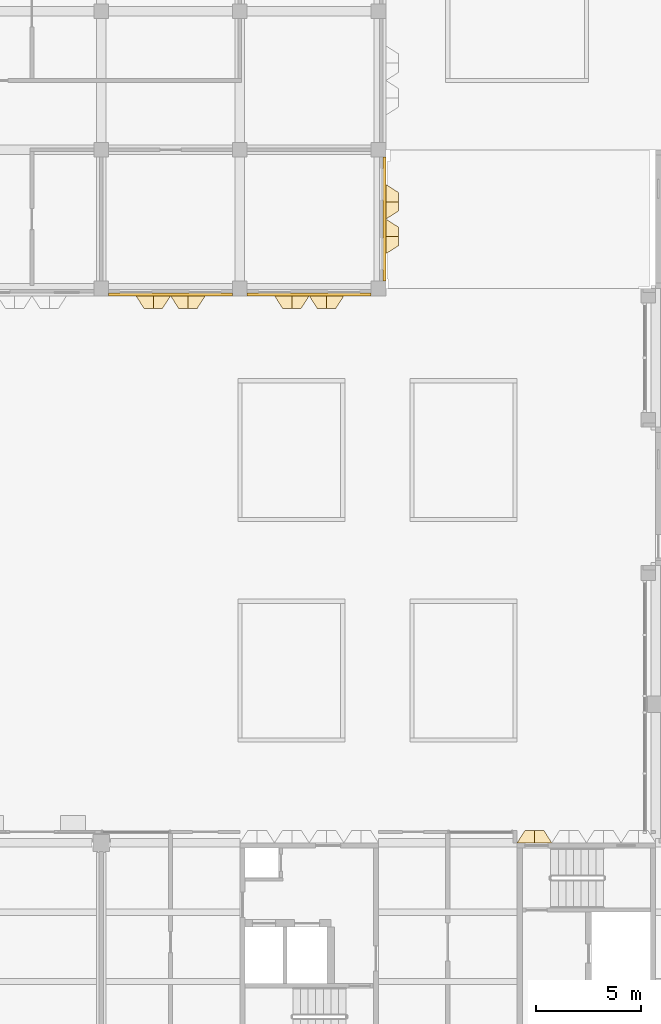
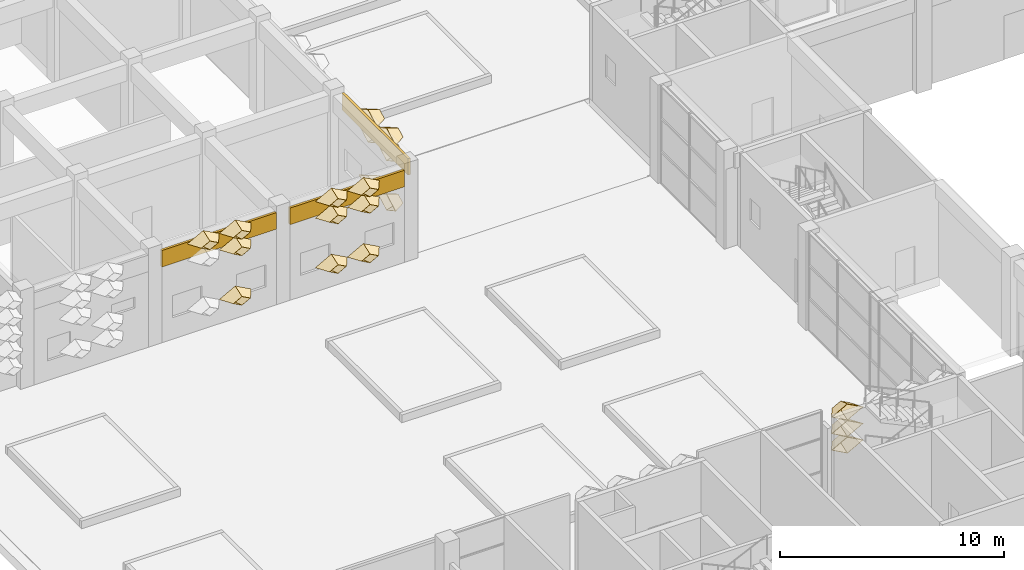
# One storey, part 57 of 85: 22 coverings.
"""IFC4 building model written with IfcOpenShell, lengths in metres."""

from ifc_helpers import new_model, entity, si_unit, direction, frame, frame_2d, origin, place, context, subcontext, project, spatial, rectangle, extrude, material, layer, layer_set, type_object, element, save


model = new_model("IFC4")

# Units and contexts
model_context = context("Model", 3, precision=1e-05, world=origin(), true_north=direction((0.0, 1.0)))
body_context = subcontext(model_context, "Body", "Model", "MODEL_VIEW")
ifc_project = project(units=[si_unit("LENGTHUNIT", "METRE"), si_unit("AREAUNIT", "SQUARE_METRE"), si_unit("VOLUMEUNIT", "CUBIC_METRE"), si_unit("PLANEANGLEUNIT", "RADIAN"), si_unit("MASSUNIT", "GRAM", prefix="KILO")], contexts=[model_context])

# Site, building, storey
site_placement = place(None, origin())
site = spatial("IfcSite", under=ifc_project, at=site_placement, CompositionType="ELEMENT")
building_placement = place(site_placement, origin())
building = spatial("IfcBuilding", under=site, at=building_placement, Name="Lantern Court Research Institute", CompositionType="ELEMENT")
storey_placement = place(building_placement, origin())
storey = spatial("IfcBuildingStorey", under=building, at=storey_placement, Name="L00", CompositionType="ELEMENT", Elevation=0.0)

# Coverings
ifc_material_1 = material(Name="Aluminium composite panel with mineral wool insulation", Category="aluminium")
ifc_layer_1 = layer(ifc_material_1, 0.125)
ifc_layer_set_1 = layer_set([ifc_layer_1], Name="Aluminium composite panel with mineral wool insulation")
covering_type_1 = type_object("IfcCoveringType", Name="Edge fascia panel 125 aluminium faced", PredefinedType="CLADDING", material=ifc_layer_set_1)
for number, where, z_axis, x_axis, name in (
    (1, (26.6875, 55.75, 4.14990234375), (0.0, 0.0, 1.0), (0.0, -1.0, 0.0), "Edge fascia V3E L00 01"),
    (2, (19.449951171875, 49.21240234375, 4.14990234375), (0.0, 0.0, 1.0), (-1.0, 0.0, 0.0), "Edge fascia V3S L00 02"),
):
    element("IfcCovering", number, at=place(storey_placement, frame(where, z_axis=z_axis, x_axis=x_axis)), inside=storey, type_object=covering_type_1, Name=name, PredefinedType="CLADDING", context=body_context, shape_type="SweptSolid", body=[
        extrude(rectangle(XDim=5.89990234375, YDim=0.125, at=frame_2d((2.949951171875, 0.0))), origin(), (0.0, 0.0, 1.0), 0.900146484375),
    ])
covering_1_placement = place(storey_placement, frame((26.050048828125, 49.21240234375, 4.14990234375), z_axis=(0.0, 0.0, 1.0), x_axis=(-1.0, 0.0, 0.0)))
element("IfcCovering", 3, at=covering_1_placement, inside=storey, type_object=covering_type_1, Name="Edge fascia V3S L00 03", PredefinedType="CLADDING", context=body_context, shape_type="SweptSolid", body=[
    extrude(rectangle(XDim=5.900146484375, YDim=0.125, at=frame_2d((2.9501953125, 0.0))), origin(), (0.0, 0.0, 1.0), 0.900146484375),
])
ifc_material_2 = material(Name="Anodised aluminium", Category="aluminium")
ifc_layer_2 = layer(ifc_material_2, 0.01611328125)
ifc_layer_set_2 = layer_set([ifc_layer_2], Name="Anodised aluminium")
covering_type_2 = type_object("IfcCoveringType", Name="Fin cassette 1650 x 900 x 600 aluminium", PredefinedType="CLADDING", material=ifc_layer_set_2)
covering_2_placement = place(storey_placement, frame((26.75, 51.97509765625, 1.35009765625), z_axis=(1.0, 0.0, 0.0), x_axis=(0.0, 1.0, 0.0)))
cartesian_point_1 = entity("IfcCartesianPoint", [0.824951171875, 0.0])
cartesian_point_2 = entity("IfcCartesianPoint", [0.79150390625, 0.0])
cartesian_point_3 = entity("IfcCartesianPoint", [0.44189453125, 0.0])
cartesian_point_4 = entity("IfcCartesianPoint", [0.43359375, 0.0])
element("IfcCovering", 4, at=covering_2_placement, inside=storey, type_object=covering_type_2, Name="Fin cassette V3E-L00 2.32", PredefinedType="CLADDING", context=body_context, shape_type="SweptSolid", body=[
    entity("IfcExtrudedAreaSolidTapered", entity("IfcArbitraryProfileDefWithVoids", "AREA", None, entity("IfcPolyline", [cartesian_point_1, entity("IfcCartesianPoint", [0.0, 0.449951171875]), entity("IfcCartesianPoint", [-0.824951171875, 0.0]), entity("IfcCartesianPoint", [0.0, -0.449951171875]), cartesian_point_1]), [entity("IfcPolyline", [cartesian_point_2, entity("IfcCartesianPoint", [0.0, 0.431884765625]), entity("IfcCartesianPoint", [-0.79150390625, 0.0]), entity("IfcCartesianPoint", [0.0, -0.431884765625]), cartesian_point_2])]), entity("IfcAxis2Placement3D", entity("IfcCartesianPoint", [0.0, 0.0, 0.0])), entity("IfcDirection", [0.0, 0.0, 1.0]), 0.60009765625, entity("IfcArbitraryProfileDefWithVoids", "AREA", None, entity("IfcPolyline", [cartesian_point_3, entity("IfcCartesianPoint", [0.0, 0.240966796875]), entity("IfcCartesianPoint", [-0.44189453125, 0.0]), entity("IfcCartesianPoint", [0.0, -0.240966796875]), cartesian_point_3]), [entity("IfcPolyline", [cartesian_point_4, entity("IfcCartesianPoint", [0.0, 0.236572265625]), entity("IfcCartesianPoint", [-0.43359375, 0.0]), entity("IfcCartesianPoint", [0.0, -0.236572265625]), cartesian_point_4])])),
])
covering_3_placement = place(storey_placement, frame((26.75, 53.625, 1.35009765625), z_axis=(1.0, 0.0, 0.0), x_axis=(0.0, 1.0, 0.0)))
cartesian_point_5 = entity("IfcCartesianPoint", [0.824951171875, 0.0])
cartesian_point_6 = entity("IfcCartesianPoint", [0.79150390625, 0.0])
cartesian_point_7 = entity("IfcCartesianPoint", [0.44189453125, 0.0])
cartesian_point_8 = entity("IfcCartesianPoint", [0.43359375, 0.0])
element("IfcCovering", 5, at=covering_3_placement, inside=storey, type_object=covering_type_2, Name="Fin cassette V3E-L00 2.33", PredefinedType="CLADDING", context=body_context, shape_type="SweptSolid", body=[
    entity("IfcExtrudedAreaSolidTapered", entity("IfcArbitraryProfileDefWithVoids", "AREA", None, entity("IfcPolyline", [cartesian_point_5, entity("IfcCartesianPoint", [0.0, 0.449951171875]), entity("IfcCartesianPoint", [-0.824951171875, 0.0]), entity("IfcCartesianPoint", [0.0, -0.449951171875]), cartesian_point_5]), [entity("IfcPolyline", [cartesian_point_6, entity("IfcCartesianPoint", [0.0, 0.431884765625]), entity("IfcCartesianPoint", [-0.79150390625, 0.0]), entity("IfcCartesianPoint", [0.0, -0.431884765625]), cartesian_point_6])]), entity("IfcAxis2Placement3D", entity("IfcCartesianPoint", [0.0, 0.0, 0.0])), entity("IfcDirection", [0.0, 0.0, 1.0]), 0.60009765625, entity("IfcArbitraryProfileDefWithVoids", "AREA", None, entity("IfcPolyline", [cartesian_point_7, entity("IfcCartesianPoint", [0.0, 0.240966796875]), entity("IfcCartesianPoint", [-0.44189453125, 0.0]), entity("IfcCartesianPoint", [0.0, -0.240966796875]), cartesian_point_7]), [entity("IfcPolyline", [cartesian_point_8, entity("IfcCartesianPoint", [0.0, 0.236572265625]), entity("IfcCartesianPoint", [-0.43359375, 0.0]), entity("IfcCartesianPoint", [0.0, -0.236572265625]), cartesian_point_8])])),
])
covering_4_placement = place(storey_placement, frame((26.75, 51.97509765625, 4.050048828125), z_axis=(1.0, 0.0, 0.0), x_axis=(0.0, 1.0, 0.0)))
cartesian_point_9 = entity("IfcCartesianPoint", [0.824951171875, 0.0])
cartesian_point_10 = entity("IfcCartesianPoint", [0.79150390625, 0.0])
cartesian_point_11 = entity("IfcCartesianPoint", [0.44189453125, 0.0])
cartesian_point_12 = entity("IfcCartesianPoint", [0.43359375, 0.0])
element("IfcCovering", 6, at=covering_4_placement, inside=storey, type_object=covering_type_2, Name="Fin cassette V3E-L00 5.32", PredefinedType="CLADDING", context=body_context, shape_type="SweptSolid", body=[
    entity("IfcExtrudedAreaSolidTapered", entity("IfcArbitraryProfileDefWithVoids", "AREA", None, entity("IfcPolyline", [cartesian_point_9, entity("IfcCartesianPoint", [0.0, 0.449951171875]), entity("IfcCartesianPoint", [-0.824951171875, 0.0]), entity("IfcCartesianPoint", [0.0, -0.449951171875]), cartesian_point_9]), [entity("IfcPolyline", [cartesian_point_10, entity("IfcCartesianPoint", [0.0, 0.431884765625]), entity("IfcCartesianPoint", [-0.79150390625, 0.0]), entity("IfcCartesianPoint", [0.0, -0.431884765625]), cartesian_point_10])]), entity("IfcAxis2Placement3D", entity("IfcCartesianPoint", [0.0, 0.0, 0.0])), entity("IfcDirection", [0.0, 0.0, 1.0]), 0.60009765625, entity("IfcArbitraryProfileDefWithVoids", "AREA", None, entity("IfcPolyline", [cartesian_point_11, entity("IfcCartesianPoint", [0.0, 0.240966796875]), entity("IfcCartesianPoint", [-0.44189453125, 0.0]), entity("IfcCartesianPoint", [0.0, -0.240966796875]), cartesian_point_11]), [entity("IfcPolyline", [cartesian_point_12, entity("IfcCartesianPoint", [0.0, 0.236572265625]), entity("IfcCartesianPoint", [-0.43359375, 0.0]), entity("IfcCartesianPoint", [0.0, -0.236572265625]), cartesian_point_12])])),
])
covering_5_placement = place(storey_placement, frame((26.75, 53.625, 4.050048828125), z_axis=(1.0, 0.0, 0.0), x_axis=(0.0, 1.0, 0.0)))
cartesian_point_13 = entity("IfcCartesianPoint", [0.824951171875, 0.0])
cartesian_point_14 = entity("IfcCartesianPoint", [0.79150390625, 0.0])
cartesian_point_15 = entity("IfcCartesianPoint", [0.44189453125, 0.0])
cartesian_point_16 = entity("IfcCartesianPoint", [0.43359375, 0.0])
element("IfcCovering", 7, at=covering_5_placement, inside=storey, type_object=covering_type_2, Name="Fin cassette V3E-L00 5.33", PredefinedType="CLADDING", context=body_context, shape_type="SweptSolid", body=[
    entity("IfcExtrudedAreaSolidTapered", entity("IfcArbitraryProfileDefWithVoids", "AREA", None, entity("IfcPolyline", [cartesian_point_13, entity("IfcCartesianPoint", [0.0, 0.449951171875]), entity("IfcCartesianPoint", [-0.824951171875, 0.0]), entity("IfcCartesianPoint", [0.0, -0.449951171875]), cartesian_point_13]), [entity("IfcPolyline", [cartesian_point_14, entity("IfcCartesianPoint", [0.0, 0.431884765625]), entity("IfcCartesianPoint", [-0.79150390625, 0.0]), entity("IfcCartesianPoint", [0.0, -0.431884765625]), cartesian_point_14])]), entity("IfcAxis2Placement3D", entity("IfcCartesianPoint", [0.0, 0.0, 0.0])), entity("IfcDirection", [0.0, 0.0, 1.0]), 0.60009765625, entity("IfcArbitraryProfileDefWithVoids", "AREA", None, entity("IfcPolyline", [cartesian_point_15, entity("IfcCartesianPoint", [0.0, 0.240966796875]), entity("IfcCartesianPoint", [-0.44189453125, 0.0]), entity("IfcCartesianPoint", [0.0, -0.240966796875]), cartesian_point_15]), [entity("IfcPolyline", [cartesian_point_16, entity("IfcCartesianPoint", [0.0, 0.236572265625]), entity("IfcCartesianPoint", [-0.43359375, 0.0]), entity("IfcCartesianPoint", [0.0, -0.236572265625]), cartesian_point_16])])),
])
covering_6_placement = place(storey_placement, frame((26.75, 51.97509765625, 4.949951171875), z_axis=(1.0, 0.0, 0.0), x_axis=(0.0, 1.0, 0.0)))
cartesian_point_17 = entity("IfcCartesianPoint", [0.824951171875, 0.0])
cartesian_point_18 = entity("IfcCartesianPoint", [0.79150390625, 0.0])
cartesian_point_19 = entity("IfcCartesianPoint", [0.44189453125, 0.0])
cartesian_point_20 = entity("IfcCartesianPoint", [0.43359375, 0.0])
element("IfcCovering", 8, at=covering_6_placement, inside=storey, type_object=covering_type_2, Name="Fin cassette V3E-L00 6.32", PredefinedType="CLADDING", context=body_context, shape_type="SweptSolid", body=[
    entity("IfcExtrudedAreaSolidTapered", entity("IfcArbitraryProfileDefWithVoids", "AREA", None, entity("IfcPolyline", [cartesian_point_17, entity("IfcCartesianPoint", [0.0, 0.449951171875]), entity("IfcCartesianPoint", [-0.824951171875, 0.0]), entity("IfcCartesianPoint", [0.0, -0.449951171875]), cartesian_point_17]), [entity("IfcPolyline", [cartesian_point_18, entity("IfcCartesianPoint", [0.0, 0.431884765625]), entity("IfcCartesianPoint", [-0.79150390625, 0.0]), entity("IfcCartesianPoint", [0.0, -0.431884765625]), cartesian_point_18])]), entity("IfcAxis2Placement3D", entity("IfcCartesianPoint", [0.0, 0.0, 0.0])), entity("IfcDirection", [0.0, 0.0, 1.0]), 0.60009765625, entity("IfcArbitraryProfileDefWithVoids", "AREA", None, entity("IfcPolyline", [cartesian_point_19, entity("IfcCartesianPoint", [0.0, 0.240966796875]), entity("IfcCartesianPoint", [-0.44189453125, 0.0]), entity("IfcCartesianPoint", [0.0, -0.240966796875]), cartesian_point_19]), [entity("IfcPolyline", [cartesian_point_20, entity("IfcCartesianPoint", [0.0, 0.236572265625]), entity("IfcCartesianPoint", [-0.43359375, 0.0]), entity("IfcCartesianPoint", [0.0, -0.236572265625]), cartesian_point_20])])),
])
covering_7_placement = place(storey_placement, frame((26.75, 53.625, 4.949951171875), z_axis=(1.0, 0.0, 0.0), x_axis=(0.0, 1.0, 0.0)))
cartesian_point_21 = entity("IfcCartesianPoint", [0.824951171875, 0.0])
cartesian_point_22 = entity("IfcCartesianPoint", [0.79150390625, 0.0])
cartesian_point_23 = entity("IfcCartesianPoint", [0.44189453125, 0.0])
cartesian_point_24 = entity("IfcCartesianPoint", [0.43359375, 0.0])
element("IfcCovering", 9, at=covering_7_placement, inside=storey, type_object=covering_type_2, Name="Fin cassette V3E-L00 6.33", PredefinedType="CLADDING", context=body_context, shape_type="SweptSolid", body=[
    entity("IfcExtrudedAreaSolidTapered", entity("IfcArbitraryProfileDefWithVoids", "AREA", None, entity("IfcPolyline", [cartesian_point_21, entity("IfcCartesianPoint", [0.0, 0.449951171875]), entity("IfcCartesianPoint", [-0.824951171875, 0.0]), entity("IfcCartesianPoint", [0.0, -0.449951171875]), cartesian_point_21]), [entity("IfcPolyline", [cartesian_point_22, entity("IfcCartesianPoint", [0.0, 0.431884765625]), entity("IfcCartesianPoint", [-0.79150390625, 0.0]), entity("IfcCartesianPoint", [0.0, -0.431884765625]), cartesian_point_22])]), entity("IfcAxis2Placement3D", entity("IfcCartesianPoint", [0.0, 0.0, 0.0])), entity("IfcDirection", [0.0, 0.0, 1.0]), 0.60009765625, entity("IfcArbitraryProfileDefWithVoids", "AREA", None, entity("IfcPolyline", [cartesian_point_23, entity("IfcCartesianPoint", [0.0, 0.240966796875]), entity("IfcCartesianPoint", [-0.44189453125, 0.0]), entity("IfcCartesianPoint", [0.0, -0.240966796875]), cartesian_point_23]), [entity("IfcPolyline", [cartesian_point_24, entity("IfcCartesianPoint", [0.0, 0.236572265625]), entity("IfcCartesianPoint", [-0.43359375, 0.0]), entity("IfcCartesianPoint", [0.0, -0.236572265625]), cartesian_point_24])])),
])
covering_8_placement = place(storey_placement, frame((17.324951171875, 49.14990234375, 1.35009765625), z_axis=(0.0, -1.0, 0.0), x_axis=(1.0, 0.0, 0.0)))
cartesian_point_25 = entity("IfcCartesianPoint", [0.824951171875, 0.0])
cartesian_point_26 = entity("IfcCartesianPoint", [0.79150390625, 0.0])
cartesian_point_27 = entity("IfcCartesianPoint", [0.44189453125, 0.0])
cartesian_point_28 = entity("IfcCartesianPoint", [0.43359375, 0.0])
element("IfcCovering", 10, at=covering_8_placement, inside=storey, type_object=covering_type_2, Name="Fin cassette V3S-L00 2.11", PredefinedType="CLADDING", context=body_context, shape_type="SweptSolid", body=[
    entity("IfcExtrudedAreaSolidTapered", entity("IfcArbitraryProfileDefWithVoids", "AREA", None, entity("IfcPolyline", [cartesian_point_25, entity("IfcCartesianPoint", [0.0, 0.449951171875]), entity("IfcCartesianPoint", [-0.824951171875, 0.0]), entity("IfcCartesianPoint", [0.0, -0.449951171875]), cartesian_point_25]), [entity("IfcPolyline", [cartesian_point_26, entity("IfcCartesianPoint", [0.0, 0.431884765625]), entity("IfcCartesianPoint", [-0.79150390625, 0.0]), entity("IfcCartesianPoint", [0.0, -0.431884765625]), cartesian_point_26])]), entity("IfcAxis2Placement3D", entity("IfcCartesianPoint", [0.0, 0.0, 0.0])), entity("IfcDirection", [0.0, 0.0, 1.0]), 0.60009765625, entity("IfcArbitraryProfileDefWithVoids", "AREA", None, entity("IfcPolyline", [cartesian_point_27, entity("IfcCartesianPoint", [0.0, 0.240966796875]), entity("IfcCartesianPoint", [-0.44189453125, 0.0]), entity("IfcCartesianPoint", [0.0, -0.240966796875]), cartesian_point_27]), [entity("IfcPolyline", [cartesian_point_28, entity("IfcCartesianPoint", [0.0, 0.236572265625]), entity("IfcCartesianPoint", [-0.43359375, 0.0]), entity("IfcCartesianPoint", [0.0, -0.236572265625]), cartesian_point_28])])),
])
covering_9_placement = place(storey_placement, frame((22.27490234375, 49.14990234375, 1.35009765625), z_axis=(0.0, -1.0, 0.0), x_axis=(1.0, 0.0, 0.0)))
cartesian_point_29 = entity("IfcCartesianPoint", [0.824951171875, 0.0])
cartesian_point_30 = entity("IfcCartesianPoint", [0.79150390625, 0.0])
cartesian_point_31 = entity("IfcCartesianPoint", [0.44189453125, 0.0])
cartesian_point_32 = entity("IfcCartesianPoint", [0.43359375, 0.0])
element("IfcCovering", 11, at=covering_9_placement, inside=storey, type_object=covering_type_2, Name="Fin cassette V3S-L00 2.14", PredefinedType="CLADDING", context=body_context, shape_type="SweptSolid", body=[
    entity("IfcExtrudedAreaSolidTapered", entity("IfcArbitraryProfileDefWithVoids", "AREA", None, entity("IfcPolyline", [cartesian_point_29, entity("IfcCartesianPoint", [0.0, 0.449951171875]), entity("IfcCartesianPoint", [-0.824951171875, 0.0]), entity("IfcCartesianPoint", [0.0, -0.449951171875]), cartesian_point_29]), [entity("IfcPolyline", [cartesian_point_30, entity("IfcCartesianPoint", [0.0, 0.431884765625]), entity("IfcCartesianPoint", [-0.79150390625, 0.0]), entity("IfcCartesianPoint", [0.0, -0.431884765625]), cartesian_point_30])]), entity("IfcAxis2Placement3D", entity("IfcCartesianPoint", [0.0, 0.0, 0.0])), entity("IfcDirection", [0.0, 0.0, 1.0]), 0.60009765625, entity("IfcArbitraryProfileDefWithVoids", "AREA", None, entity("IfcPolyline", [cartesian_point_31, entity("IfcCartesianPoint", [0.0, 0.240966796875]), entity("IfcCartesianPoint", [-0.44189453125, 0.0]), entity("IfcCartesianPoint", [0.0, -0.240966796875]), cartesian_point_31]), [entity("IfcPolyline", [cartesian_point_32, entity("IfcCartesianPoint", [0.0, 0.236572265625]), entity("IfcCartesianPoint", [-0.43359375, 0.0]), entity("IfcCartesianPoint", [0.0, -0.236572265625]), cartesian_point_32])])),
])
covering_10_placement = place(storey_placement, frame((23.925048828125, 49.14990234375, 1.35009765625), z_axis=(0.0, -1.0, 0.0), x_axis=(1.0, 0.0, 0.0)))
cartesian_point_33 = entity("IfcCartesianPoint", [0.824951171875, 0.0])
cartesian_point_34 = entity("IfcCartesianPoint", [0.79150390625, 0.0])
cartesian_point_35 = entity("IfcCartesianPoint", [0.44189453125, 0.0])
cartesian_point_36 = entity("IfcCartesianPoint", [0.43359375, 0.0])
element("IfcCovering", 12, at=covering_10_placement, inside=storey, type_object=covering_type_2, Name="Fin cassette V3S-L00 2.15", PredefinedType="CLADDING", context=body_context, shape_type="SweptSolid", body=[
    entity("IfcExtrudedAreaSolidTapered", entity("IfcArbitraryProfileDefWithVoids", "AREA", None, entity("IfcPolyline", [cartesian_point_33, entity("IfcCartesianPoint", [0.0, 0.449951171875]), entity("IfcCartesianPoint", [-0.824951171875, 0.0]), entity("IfcCartesianPoint", [0.0, -0.449951171875]), cartesian_point_33]), [entity("IfcPolyline", [cartesian_point_34, entity("IfcCartesianPoint", [0.0, 0.431884765625]), entity("IfcCartesianPoint", [-0.79150390625, 0.0]), entity("IfcCartesianPoint", [0.0, -0.431884765625]), cartesian_point_34])]), entity("IfcAxis2Placement3D", entity("IfcCartesianPoint", [0.0, 0.0, 0.0])), entity("IfcDirection", [0.0, 0.0, 1.0]), 0.60009765625, entity("IfcArbitraryProfileDefWithVoids", "AREA", None, entity("IfcPolyline", [cartesian_point_35, entity("IfcCartesianPoint", [0.0, 0.240966796875]), entity("IfcCartesianPoint", [-0.44189453125, 0.0]), entity("IfcCartesianPoint", [0.0, -0.240966796875]), cartesian_point_35]), [entity("IfcPolyline", [cartesian_point_36, entity("IfcCartesianPoint", [0.0, 0.236572265625]), entity("IfcCartesianPoint", [-0.43359375, 0.0]), entity("IfcCartesianPoint", [0.0, -0.236572265625]), cartesian_point_36])])),
])
covering_11_placement = place(storey_placement, frame((17.324951171875, 49.14990234375, 4.050048828125), z_axis=(0.0, -1.0, 0.0), x_axis=(1.0, 0.0, 0.0)))
cartesian_point_37 = entity("IfcCartesianPoint", [0.824951171875, 0.0])
cartesian_point_38 = entity("IfcCartesianPoint", [0.79150390625, 0.0])
cartesian_point_39 = entity("IfcCartesianPoint", [0.44189453125, 0.0])
cartesian_point_40 = entity("IfcCartesianPoint", [0.43359375, 0.0])
element("IfcCovering", 13, at=covering_11_placement, inside=storey, type_object=covering_type_2, Name="Fin cassette V3S-L00 5.11", PredefinedType="CLADDING", context=body_context, shape_type="SweptSolid", body=[
    entity("IfcExtrudedAreaSolidTapered", entity("IfcArbitraryProfileDefWithVoids", "AREA", None, entity("IfcPolyline", [cartesian_point_37, entity("IfcCartesianPoint", [0.0, 0.449951171875]), entity("IfcCartesianPoint", [-0.824951171875, 0.0]), entity("IfcCartesianPoint", [0.0, -0.449951171875]), cartesian_point_37]), [entity("IfcPolyline", [cartesian_point_38, entity("IfcCartesianPoint", [0.0, 0.431884765625]), entity("IfcCartesianPoint", [-0.79150390625, 0.0]), entity("IfcCartesianPoint", [0.0, -0.431884765625]), cartesian_point_38])]), entity("IfcAxis2Placement3D", entity("IfcCartesianPoint", [0.0, 0.0, 0.0])), entity("IfcDirection", [0.0, 0.0, 1.0]), 0.60009765625, entity("IfcArbitraryProfileDefWithVoids", "AREA", None, entity("IfcPolyline", [cartesian_point_39, entity("IfcCartesianPoint", [0.0, 0.240966796875]), entity("IfcCartesianPoint", [-0.44189453125, 0.0]), entity("IfcCartesianPoint", [0.0, -0.240966796875]), cartesian_point_39]), [entity("IfcPolyline", [cartesian_point_40, entity("IfcCartesianPoint", [0.0, 0.236572265625]), entity("IfcCartesianPoint", [-0.43359375, 0.0]), entity("IfcCartesianPoint", [0.0, -0.236572265625]), cartesian_point_40])])),
])
covering_12_placement = place(storey_placement, frame((22.27490234375, 49.14990234375, 4.050048828125), z_axis=(0.0, -1.0, 0.0), x_axis=(1.0, 0.0, 0.0)))
cartesian_point_41 = entity("IfcCartesianPoint", [0.824951171875, 0.0])
cartesian_point_42 = entity("IfcCartesianPoint", [0.79150390625, 0.0])
cartesian_point_43 = entity("IfcCartesianPoint", [0.44189453125, 0.0])
cartesian_point_44 = entity("IfcCartesianPoint", [0.43359375, 0.0])
element("IfcCovering", 14, at=covering_12_placement, inside=storey, type_object=covering_type_2, Name="Fin cassette V3S-L00 5.14", PredefinedType="CLADDING", context=body_context, shape_type="SweptSolid", body=[
    entity("IfcExtrudedAreaSolidTapered", entity("IfcArbitraryProfileDefWithVoids", "AREA", None, entity("IfcPolyline", [cartesian_point_41, entity("IfcCartesianPoint", [0.0, 0.449951171875]), entity("IfcCartesianPoint", [-0.824951171875, 0.0]), entity("IfcCartesianPoint", [0.0, -0.449951171875]), cartesian_point_41]), [entity("IfcPolyline", [cartesian_point_42, entity("IfcCartesianPoint", [0.0, 0.431884765625]), entity("IfcCartesianPoint", [-0.79150390625, 0.0]), entity("IfcCartesianPoint", [0.0, -0.431884765625]), cartesian_point_42])]), entity("IfcAxis2Placement3D", entity("IfcCartesianPoint", [0.0, 0.0, 0.0])), entity("IfcDirection", [0.0, 0.0, 1.0]), 0.60009765625, entity("IfcArbitraryProfileDefWithVoids", "AREA", None, entity("IfcPolyline", [cartesian_point_43, entity("IfcCartesianPoint", [0.0, 0.240966796875]), entity("IfcCartesianPoint", [-0.44189453125, 0.0]), entity("IfcCartesianPoint", [0.0, -0.240966796875]), cartesian_point_43]), [entity("IfcPolyline", [cartesian_point_44, entity("IfcCartesianPoint", [0.0, 0.236572265625]), entity("IfcCartesianPoint", [-0.43359375, 0.0]), entity("IfcCartesianPoint", [0.0, -0.236572265625]), cartesian_point_44])])),
])
covering_13_placement = place(storey_placement, frame((23.925048828125, 49.14990234375, 4.050048828125), z_axis=(0.0, -1.0, 0.0), x_axis=(1.0, 0.0, 0.0)))
cartesian_point_45 = entity("IfcCartesianPoint", [0.824951171875, 0.0])
cartesian_point_46 = entity("IfcCartesianPoint", [0.79150390625, 0.0])
cartesian_point_47 = entity("IfcCartesianPoint", [0.44189453125, 0.0])
cartesian_point_48 = entity("IfcCartesianPoint", [0.43359375, 0.0])
element("IfcCovering", 15, at=covering_13_placement, inside=storey, type_object=covering_type_2, Name="Fin cassette V3S-L00 5.15", PredefinedType="CLADDING", context=body_context, shape_type="SweptSolid", body=[
    entity("IfcExtrudedAreaSolidTapered", entity("IfcArbitraryProfileDefWithVoids", "AREA", None, entity("IfcPolyline", [cartesian_point_45, entity("IfcCartesianPoint", [0.0, 0.449951171875]), entity("IfcCartesianPoint", [-0.824951171875, 0.0]), entity("IfcCartesianPoint", [0.0, -0.449951171875]), cartesian_point_45]), [entity("IfcPolyline", [cartesian_point_46, entity("IfcCartesianPoint", [0.0, 0.431884765625]), entity("IfcCartesianPoint", [-0.79150390625, 0.0]), entity("IfcCartesianPoint", [0.0, -0.431884765625]), cartesian_point_46])]), entity("IfcAxis2Placement3D", entity("IfcCartesianPoint", [0.0, 0.0, 0.0])), entity("IfcDirection", [0.0, 0.0, 1.0]), 0.60009765625, entity("IfcArbitraryProfileDefWithVoids", "AREA", None, entity("IfcPolyline", [cartesian_point_47, entity("IfcCartesianPoint", [0.0, 0.240966796875]), entity("IfcCartesianPoint", [-0.44189453125, 0.0]), entity("IfcCartesianPoint", [0.0, -0.240966796875]), cartesian_point_47]), [entity("IfcPolyline", [cartesian_point_48, entity("IfcCartesianPoint", [0.0, 0.236572265625]), entity("IfcCartesianPoint", [-0.43359375, 0.0]), entity("IfcCartesianPoint", [0.0, -0.236572265625]), cartesian_point_48])])),
])
covering_14_placement = place(storey_placement, frame((15.675048828125, 49.14990234375, 4.949951171875), z_axis=(0.0, -1.0, 0.0), x_axis=(1.0, 0.0, 0.0)))
cartesian_point_49 = entity("IfcCartesianPoint", [0.824951171875, 0.0])
cartesian_point_50 = entity("IfcCartesianPoint", [0.79150390625, 0.0])
cartesian_point_51 = entity("IfcCartesianPoint", [0.44189453125, 0.0])
cartesian_point_52 = entity("IfcCartesianPoint", [0.43359375, 0.0])
element("IfcCovering", 16, at=covering_14_placement, inside=storey, type_object=covering_type_2, Name="Fin cassette V3S-L00 6.10", PredefinedType="CLADDING", context=body_context, shape_type="SweptSolid", body=[
    entity("IfcExtrudedAreaSolidTapered", entity("IfcArbitraryProfileDefWithVoids", "AREA", None, entity("IfcPolyline", [cartesian_point_49, entity("IfcCartesianPoint", [0.0, 0.449951171875]), entity("IfcCartesianPoint", [-0.824951171875, 0.0]), entity("IfcCartesianPoint", [0.0, -0.449951171875]), cartesian_point_49]), [entity("IfcPolyline", [cartesian_point_50, entity("IfcCartesianPoint", [0.0, 0.431884765625]), entity("IfcCartesianPoint", [-0.79150390625, 0.0]), entity("IfcCartesianPoint", [0.0, -0.431884765625]), cartesian_point_50])]), entity("IfcAxis2Placement3D", entity("IfcCartesianPoint", [0.0, 0.0, 0.0])), entity("IfcDirection", [0.0, 0.0, 1.0]), 0.60009765625, entity("IfcArbitraryProfileDefWithVoids", "AREA", None, entity("IfcPolyline", [cartesian_point_51, entity("IfcCartesianPoint", [0.0, 0.240966796875]), entity("IfcCartesianPoint", [-0.44189453125, 0.0]), entity("IfcCartesianPoint", [0.0, -0.240966796875]), cartesian_point_51]), [entity("IfcPolyline", [cartesian_point_52, entity("IfcCartesianPoint", [0.0, 0.236572265625]), entity("IfcCartesianPoint", [-0.43359375, 0.0]), entity("IfcCartesianPoint", [0.0, -0.236572265625]), cartesian_point_52])])),
])
covering_15_placement = place(storey_placement, frame((17.324951171875, 49.14990234375, 4.949951171875), z_axis=(0.0, -1.0, 0.0), x_axis=(1.0, 0.0, 0.0)))
cartesian_point_53 = entity("IfcCartesianPoint", [0.824951171875, 0.0])
cartesian_point_54 = entity("IfcCartesianPoint", [0.79150390625, 0.0])
cartesian_point_55 = entity("IfcCartesianPoint", [0.44189453125, 0.0])
cartesian_point_56 = entity("IfcCartesianPoint", [0.43359375, 0.0])
element("IfcCovering", 17, at=covering_15_placement, inside=storey, type_object=covering_type_2, Name="Fin cassette V3S-L00 6.11", PredefinedType="CLADDING", context=body_context, shape_type="SweptSolid", body=[
    entity("IfcExtrudedAreaSolidTapered", entity("IfcArbitraryProfileDefWithVoids", "AREA", None, entity("IfcPolyline", [cartesian_point_53, entity("IfcCartesianPoint", [0.0, 0.449951171875]), entity("IfcCartesianPoint", [-0.824951171875, 0.0]), entity("IfcCartesianPoint", [0.0, -0.449951171875]), cartesian_point_53]), [entity("IfcPolyline", [cartesian_point_54, entity("IfcCartesianPoint", [0.0, 0.431884765625]), entity("IfcCartesianPoint", [-0.79150390625, 0.0]), entity("IfcCartesianPoint", [0.0, -0.431884765625]), cartesian_point_54])]), entity("IfcAxis2Placement3D", entity("IfcCartesianPoint", [0.0, 0.0, 0.0])), entity("IfcDirection", [0.0, 0.0, 1.0]), 0.60009765625, entity("IfcArbitraryProfileDefWithVoids", "AREA", None, entity("IfcPolyline", [cartesian_point_55, entity("IfcCartesianPoint", [0.0, 0.240966796875]), entity("IfcCartesianPoint", [-0.44189453125, 0.0]), entity("IfcCartesianPoint", [0.0, -0.240966796875]), cartesian_point_55]), [entity("IfcPolyline", [cartesian_point_56, entity("IfcCartesianPoint", [0.0, 0.236572265625]), entity("IfcCartesianPoint", [-0.43359375, 0.0]), entity("IfcCartesianPoint", [0.0, -0.236572265625]), cartesian_point_56])])),
])
covering_16_placement = place(storey_placement, frame((22.27490234375, 49.14990234375, 4.949951171875), z_axis=(0.0, -1.0, 0.0), x_axis=(1.0, 0.0, 0.0)))
cartesian_point_57 = entity("IfcCartesianPoint", [0.824951171875, 0.0])
cartesian_point_58 = entity("IfcCartesianPoint", [0.79150390625, 0.0])
cartesian_point_59 = entity("IfcCartesianPoint", [0.44189453125, 0.0])
cartesian_point_60 = entity("IfcCartesianPoint", [0.43359375, 0.0])
element("IfcCovering", 18, at=covering_16_placement, inside=storey, type_object=covering_type_2, Name="Fin cassette V3S-L00 6.14", PredefinedType="CLADDING", context=body_context, shape_type="SweptSolid", body=[
    entity("IfcExtrudedAreaSolidTapered", entity("IfcArbitraryProfileDefWithVoids", "AREA", None, entity("IfcPolyline", [cartesian_point_57, entity("IfcCartesianPoint", [0.0, 0.449951171875]), entity("IfcCartesianPoint", [-0.824951171875, 0.0]), entity("IfcCartesianPoint", [0.0, -0.449951171875]), cartesian_point_57]), [entity("IfcPolyline", [cartesian_point_58, entity("IfcCartesianPoint", [0.0, 0.431884765625]), entity("IfcCartesianPoint", [-0.79150390625, 0.0]), entity("IfcCartesianPoint", [0.0, -0.431884765625]), cartesian_point_58])]), entity("IfcAxis2Placement3D", entity("IfcCartesianPoint", [0.0, 0.0, 0.0])), entity("IfcDirection", [0.0, 0.0, 1.0]), 0.60009765625, entity("IfcArbitraryProfileDefWithVoids", "AREA", None, entity("IfcPolyline", [cartesian_point_59, entity("IfcCartesianPoint", [0.0, 0.240966796875]), entity("IfcCartesianPoint", [-0.44189453125, 0.0]), entity("IfcCartesianPoint", [0.0, -0.240966796875]), cartesian_point_59]), [entity("IfcPolyline", [cartesian_point_60, entity("IfcCartesianPoint", [0.0, 0.236572265625]), entity("IfcCartesianPoint", [-0.43359375, 0.0]), entity("IfcCartesianPoint", [0.0, -0.236572265625]), cartesian_point_60])])),
])
covering_17_placement = place(storey_placement, frame((23.925048828125, 49.14990234375, 4.949951171875), z_axis=(0.0, -1.0, 0.0), x_axis=(1.0, 0.0, 0.0)))
cartesian_point_61 = entity("IfcCartesianPoint", [0.824951171875, 0.0])
cartesian_point_62 = entity("IfcCartesianPoint", [0.79150390625, 0.0])
cartesian_point_63 = entity("IfcCartesianPoint", [0.44189453125, 0.0])
cartesian_point_64 = entity("IfcCartesianPoint", [0.43359375, 0.0])
element("IfcCovering", 19, at=covering_17_placement, inside=storey, type_object=covering_type_2, Name="Fin cassette V3S-L00 6.15", PredefinedType="CLADDING", context=body_context, shape_type="SweptSolid", body=[
    entity("IfcExtrudedAreaSolidTapered", entity("IfcArbitraryProfileDefWithVoids", "AREA", None, entity("IfcPolyline", [cartesian_point_61, entity("IfcCartesianPoint", [0.0, 0.449951171875]), entity("IfcCartesianPoint", [-0.824951171875, 0.0]), entity("IfcCartesianPoint", [0.0, -0.449951171875]), cartesian_point_61]), [entity("IfcPolyline", [cartesian_point_62, entity("IfcCartesianPoint", [0.0, 0.431884765625]), entity("IfcCartesianPoint", [-0.79150390625, 0.0]), entity("IfcCartesianPoint", [0.0, -0.431884765625]), cartesian_point_62])]), entity("IfcAxis2Placement3D", entity("IfcCartesianPoint", [0.0, 0.0, 0.0])), entity("IfcDirection", [0.0, 0.0, 1.0]), 0.60009765625, entity("IfcArbitraryProfileDefWithVoids", "AREA", None, entity("IfcPolyline", [cartesian_point_63, entity("IfcCartesianPoint", [0.0, 0.240966796875]), entity("IfcCartesianPoint", [-0.44189453125, 0.0]), entity("IfcCartesianPoint", [0.0, -0.240966796875]), cartesian_point_63]), [entity("IfcPolyline", [cartesian_point_64, entity("IfcCartesianPoint", [0.0, 0.236572265625]), entity("IfcCartesianPoint", [-0.43359375, 0.0]), entity("IfcCartesianPoint", [0.0, -0.236572265625]), cartesian_point_64])])),
])
covering_18_placement = place(storey_placement, frame((33.824951171875, 23.10009765625, 3.14990234375), z_axis=(0.0, 1.0, 0.0), x_axis=(-1.0, 0.0, 0.0)))
cartesian_point_65 = entity("IfcCartesianPoint", [0.824951171875, 0.0])
cartesian_point_66 = entity("IfcCartesianPoint", [0.79150390625, 0.0])
cartesian_point_67 = entity("IfcCartesianPoint", [0.44189453125, 0.0])
cartesian_point_68 = entity("IfcCartesianPoint", [0.43359375, 0.0])
element("IfcCovering", 20, at=covering_18_placement, inside=storey, type_object=covering_type_2, Name="Fin cassette V4N-L00 4.21", PredefinedType="CLADDING", context=body_context, shape_type="SweptSolid", body=[
    entity("IfcExtrudedAreaSolidTapered", entity("IfcArbitraryProfileDefWithVoids", "AREA", None, entity("IfcPolyline", [cartesian_point_65, entity("IfcCartesianPoint", [0.0, 0.449951171875]), entity("IfcCartesianPoint", [-0.824951171875, 0.0]), entity("IfcCartesianPoint", [0.0, -0.449951171875]), cartesian_point_65]), [entity("IfcPolyline", [cartesian_point_66, entity("IfcCartesianPoint", [0.0, 0.431884765625]), entity("IfcCartesianPoint", [-0.79150390625, 0.0]), entity("IfcCartesianPoint", [0.0, -0.431884765625]), cartesian_point_66])]), entity("IfcAxis2Placement3D", entity("IfcCartesianPoint", [0.0, 0.0, 0.0])), entity("IfcDirection", [0.0, 0.0, 1.0]), 0.60009765625, entity("IfcArbitraryProfileDefWithVoids", "AREA", None, entity("IfcPolyline", [cartesian_point_67, entity("IfcCartesianPoint", [0.0, 0.240966796875]), entity("IfcCartesianPoint", [-0.44189453125, 0.0]), entity("IfcCartesianPoint", [0.0, -0.240966796875]), cartesian_point_67]), [entity("IfcPolyline", [cartesian_point_68, entity("IfcCartesianPoint", [0.0, 0.236572265625]), entity("IfcCartesianPoint", [-0.43359375, 0.0]), entity("IfcCartesianPoint", [0.0, -0.236572265625]), cartesian_point_68])])),
])
covering_19_placement = place(storey_placement, frame((33.824951171875, 23.10009765625, 4.050048828125), z_axis=(0.0, 1.0, 0.0), x_axis=(-1.0, 0.0, 0.0)))
cartesian_point_69 = entity("IfcCartesianPoint", [0.824951171875, 0.0])
cartesian_point_70 = entity("IfcCartesianPoint", [0.79150390625, 0.0])
cartesian_point_71 = entity("IfcCartesianPoint", [0.44189453125, 0.0])
cartesian_point_72 = entity("IfcCartesianPoint", [0.43359375, 0.0])
element("IfcCovering", 21, at=covering_19_placement, inside=storey, type_object=covering_type_2, Name="Fin cassette V4N-L00 5.21", PredefinedType="CLADDING", context=body_context, shape_type="SweptSolid", body=[
    entity("IfcExtrudedAreaSolidTapered", entity("IfcArbitraryProfileDefWithVoids", "AREA", None, entity("IfcPolyline", [cartesian_point_69, entity("IfcCartesianPoint", [0.0, 0.449951171875]), entity("IfcCartesianPoint", [-0.824951171875, 0.0]), entity("IfcCartesianPoint", [0.0, -0.449951171875]), cartesian_point_69]), [entity("IfcPolyline", [cartesian_point_70, entity("IfcCartesianPoint", [0.0, 0.431884765625]), entity("IfcCartesianPoint", [-0.79150390625, 0.0]), entity("IfcCartesianPoint", [0.0, -0.431884765625]), cartesian_point_70])]), entity("IfcAxis2Placement3D", entity("IfcCartesianPoint", [0.0, 0.0, 0.0])), entity("IfcDirection", [0.0, 0.0, 1.0]), 0.60009765625, entity("IfcArbitraryProfileDefWithVoids", "AREA", None, entity("IfcPolyline", [cartesian_point_71, entity("IfcCartesianPoint", [0.0, 0.240966796875]), entity("IfcCartesianPoint", [-0.44189453125, 0.0]), entity("IfcCartesianPoint", [0.0, -0.240966796875]), cartesian_point_71]), [entity("IfcPolyline", [cartesian_point_72, entity("IfcCartesianPoint", [0.0, 0.236572265625]), entity("IfcCartesianPoint", [-0.43359375, 0.0]), entity("IfcCartesianPoint", [0.0, -0.236572265625]), cartesian_point_72])])),
])
covering_20_placement = place(storey_placement, frame((33.824951171875, 23.10009765625, 4.949951171875), z_axis=(0.0, 1.0, 0.0), x_axis=(-1.0, 0.0, 0.0)))
cartesian_point_73 = entity("IfcCartesianPoint", [0.824951171875, 0.0])
cartesian_point_74 = entity("IfcCartesianPoint", [0.79150390625, 0.0])
cartesian_point_75 = entity("IfcCartesianPoint", [0.44189453125, 0.0])
cartesian_point_76 = entity("IfcCartesianPoint", [0.43359375, 0.0])
element("IfcCovering", 22, at=covering_20_placement, inside=storey, type_object=covering_type_2, Name="Fin cassette V4N-L00 6.21", PredefinedType="CLADDING", context=body_context, shape_type="SweptSolid", body=[
    entity("IfcExtrudedAreaSolidTapered", entity("IfcArbitraryProfileDefWithVoids", "AREA", None, entity("IfcPolyline", [cartesian_point_73, entity("IfcCartesianPoint", [0.0, 0.449951171875]), entity("IfcCartesianPoint", [-0.824951171875, 0.0]), entity("IfcCartesianPoint", [0.0, -0.449951171875]), cartesian_point_73]), [entity("IfcPolyline", [cartesian_point_74, entity("IfcCartesianPoint", [0.0, 0.431884765625]), entity("IfcCartesianPoint", [-0.79150390625, 0.0]), entity("IfcCartesianPoint", [0.0, -0.431884765625]), cartesian_point_74])]), entity("IfcAxis2Placement3D", entity("IfcCartesianPoint", [0.0, 0.0, 0.0])), entity("IfcDirection", [0.0, 0.0, 1.0]), 0.60009765625, entity("IfcArbitraryProfileDefWithVoids", "AREA", None, entity("IfcPolyline", [cartesian_point_75, entity("IfcCartesianPoint", [0.0, 0.240966796875]), entity("IfcCartesianPoint", [-0.44189453125, 0.0]), entity("IfcCartesianPoint", [0.0, -0.240966796875]), cartesian_point_75]), [entity("IfcPolyline", [cartesian_point_76, entity("IfcCartesianPoint", [0.0, 0.236572265625]), entity("IfcCartesianPoint", [-0.43359375, 0.0]), entity("IfcCartesianPoint", [0.0, -0.236572265625]), cartesian_point_76])])),
])

save(model, "model.ifc")
